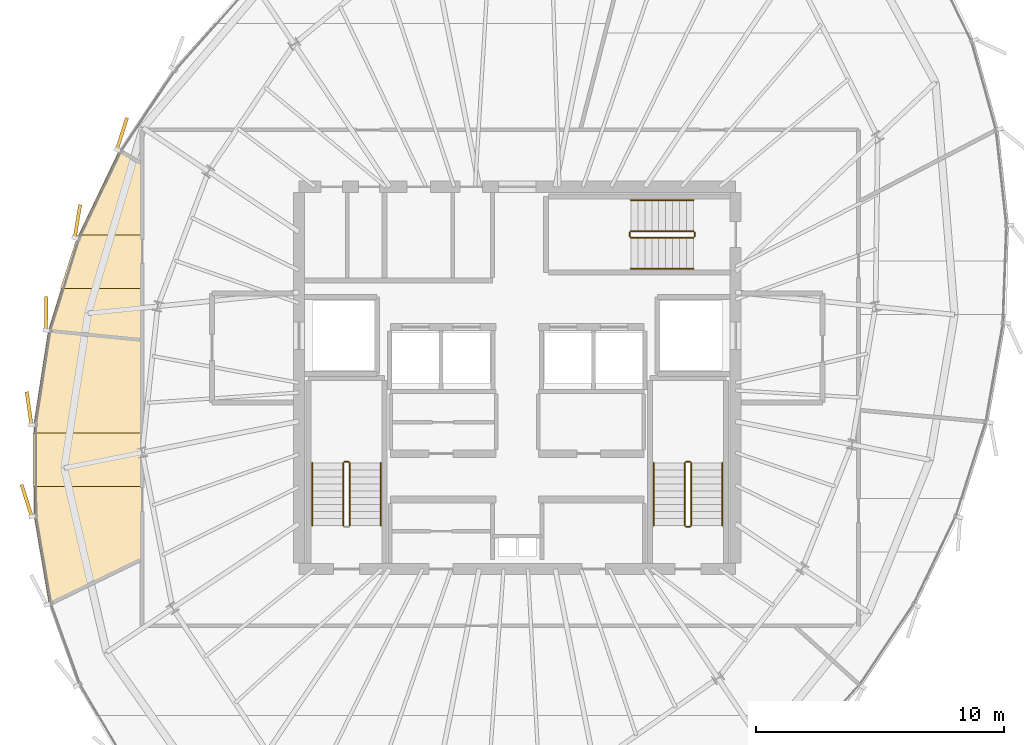
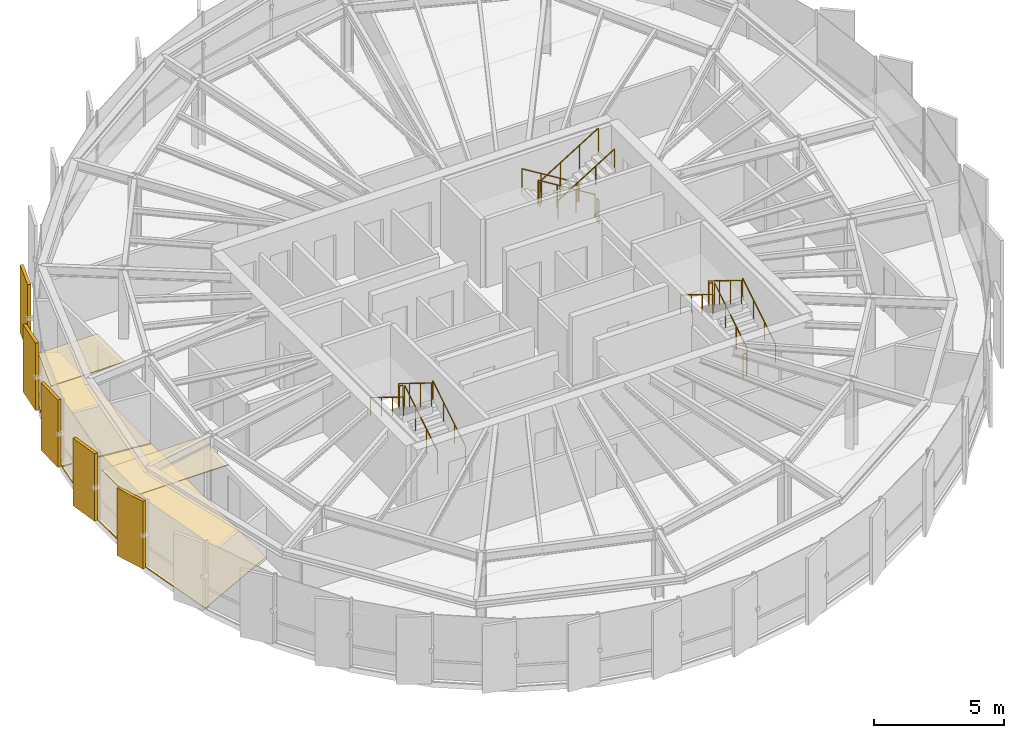
# One storey, part 30 of 31: 17 railings, 9 coverings.
"""IFC4 building model written with IfcOpenShell, lengths in metres."""

from ifc_helpers import new_model, si_unit, direction, frame, origin, origin_2d, place, context, subcontext, project, spatial, polyline, rectangle, circle, outline, extrude, source, transform, mapped, material, layer, layer_set, type_object, element, save


model = new_model("IFC4")

# Units and contexts
model_context = context("Model", 3, precision=1e-05, world=origin(), true_north=direction((0.0, 1.0)))
body_context = subcontext(model_context, "Body", "Model", "MODEL_VIEW")
ifc_project = project(units=[si_unit("LENGTHUNIT", "METRE"), si_unit("AREAUNIT", "SQUARE_METRE"), si_unit("VOLUMEUNIT", "CUBIC_METRE"), si_unit("PLANEANGLEUNIT", "RADIAN"), si_unit("MASSUNIT", "GRAM", prefix="KILO"), si_unit("THERMODYNAMICTEMPERATUREUNIT", "KELVIN")], contexts=[model_context])

# Site, building, storey
site_placement = place(None, origin())
site = spatial("IfcSite", under=ifc_project, at=site_placement, CompositionType="ELEMENT")
building_placement = place(site_placement, origin())
building = spatial("IfcBuilding", under=site, at=building_placement, Name="Kethvar Cultural Tower", CompositionType="ELEMENT")
storey_placement = place(building_placement, frame((0.0, 0.0, 276.699951171875)))
storey = spatial("IfcBuildingStorey", under=building, at=storey_placement, Name="L73", CompositionType="ELEMENT", Elevation=276.699951171875)

# Coverings
ifc_material_1 = material(Name="Acoustic Mineral Fibre Ceiling")
ifc_layer_1 = layer(ifc_material_1, 0.0400390625, Name="Acoustic Mineral Fibre Ceiling")
ifc_layer_set_1 = layer_set([ifc_layer_1], Name="Acoustic Mineral Fibre Ceiling (40 mm)")
covering_type_1 = type_object("IfcCoveringType", Name="CV-ACOUSTIC-CEIL", PredefinedType="CEILING", material=ifc_layer_set_1)
covering_1_placement = place(storey_placement, frame((0.0, 0.0, 2.56005859375)))
element("IfcCovering", 1, at=covering_1_placement, inside=storey, type_object=covering_type_1, Name="L73 Room 06 Acoustic Ceiling Panel", PredefinedType="CEILING", context=body_context, shape_type="SweptSolid", body=[
    extrude(outline(polyline([(28.394287109375, 31.405029296875), (29.085693359375, 33.554931640625), (31.699951171875, 33.554931640625), (31.699951171875, 31.405029296875), (28.394287109375, 31.405029296875)])), origin(), (0.0, 0.0, 1.0), 0.0400390625),
])
covering_2_placement = place(storey_placement, frame((0.0, 0.0, 2.56005859375)))
element("IfcCovering", 2, at=covering_2_placement, inside=storey, type_object=covering_type_1, Name="L73 Room 07 Acoustic Ceiling Panel", PredefinedType="CEILING", context=body_context, shape_type="SweptSolid", body=[
    extrude(outline(polyline([(27.284912109375, 25.578369140625), (31.699951171875, 25.578369140625), (31.699951171875, 23.42822265625), (27.290771484375, 23.42822265625), (27.284912109375, 25.578369140625)])), origin(), (0.0, 0.0, 1.0), 0.0400390625),
])
ifc_material_2 = material(Name="Honed Warm Limestone", Category="masonry")
ifc_layer_2 = layer(ifc_material_2, 0.030029296875, Name="Honed Warm Limestone", Category="masonry")
ifc_layer_set_2 = layer_set([ifc_layer_2], Name="Honed Warm Limestone (30 mm)")
covering_type_2 = type_object("IfcCoveringType", Name="CV-STONE-FLOOR", PredefinedType="FLOORING", material=ifc_layer_set_2)
covering_3_placement = place(storey_placement, origin())
element("IfcCovering", 3, at=covering_3_placement, inside=storey, type_object=covering_type_2, Name="L73 Room 06 Floor Finish", PredefinedType="FLOORING", context=body_context, shape_type="SweptSolid", body=[
    extrude(outline(polyline([(29.061767578125, 33.412353515625), (30.748291015625, 36.9326171875), (31.659912109375, 36.41259765625), (31.659912109375, 29.34716796875), (27.91259765625, 29.72509765625), (29.061767578125, 33.412353515625)])), origin(), (0.0, 0.0, 1.0), 0.030029296875),
])
covering_4_placement = place(storey_placement, origin())
element("IfcCovering", 4, at=covering_4_placement, inside=storey, type_object=covering_type_2, Name="L73 Room 07 Floor Finish", PredefinedType="FLOORING", context=body_context, shape_type="SweptSolid", body=[
    extrude(outline(polyline([(27.333984375, 22.226318359375), (27.323974609375, 25.936279296875), (27.903076171875, 29.685791015625), (31.659912109375, 29.306884765625), (31.659912109375, 20.5107421875), (27.931396484375, 18.710205078125), (27.333984375, 22.226318359375)])), origin(), (0.0, 0.0, 1.0), 0.030029296875),
])

# Railings
ifc_material_3 = material(Name="Steel S355J2", Category="steel")
railing_type_1 = type_object("IfcRailingType", Name="RL-STAIR-GUARD", PredefinedType="BALUSTRADE", material=ifc_material_3)
railing_1_placement = place(storey_placement, frame((40.050048828125, 21.85009765625, 0.172607421875)))
element("IfcRailing", 5, at=railing_1_placement, inside=storey, type_object=railing_type_1, Name="L73 ST-01 stair guard 1", PredefinedType="BALUSTRADE", context=body_context, shape_type="SweptSolid", body=[
    extrude(circle(Radius=0.02392578125, at=origin_2d()), frame((0.0, 0.0, 1.09619140625), z_axis=(0.0, 0.851400495292, 0.524516154772), x_axis=(-1.0, 0.0, 0.0)), (0.0, 0.0, 1.0), 2.9599609375),
    extrude(circle(Radius=0.02099609375, at=origin_2d()), origin(), (0.0, 0.0, 1.0), 1.072021484375),
    extrude(circle(Radius=0.02099609375, at=origin_2d()), frame((0.0, 0.840087890625, 0.517578125)), (0.0, 0.0, 1.0), 1.072021484375),
    extrude(circle(Radius=0.02099609375, at=origin_2d()), frame((0.0, 1.679931640625, 1.034912109375)), (0.0, 0.0, 1.0), 1.072021484375),
    extrude(circle(Radius=0.02099609375, at=origin_2d()), frame((0.0, 2.52001953125, 1.552490234375)), (0.0, 0.0, 1.0), 1.072021484375),
])
railing_2_placement = place(storey_placement, frame((40.0, 24.419921875, 1.72509765625)))
element("IfcRailing", 6, at=railing_2_placement, inside=storey, type_object=railing_type_1, Name="L73 ST-01 stair guard 2", PredefinedType="BALUSTRADE", context=body_context, shape_type="SweptSolid", body=[
    extrude(circle(Radius=0.02392578125, at=origin_2d()), frame((0.0, 0.0, 1.09619140625), z_axis=(-1.0, 0.0, 0.0), x_axis=(0.0, -1.0, 0.0)), (0.0, 0.0, 1.0), 0.159912109375),
    extrude(circle(Radius=0.02099609375, at=origin_2d()), origin(), (0.0, 0.0, 1.0), 1.072021484375),
    extrude(circle(Radius=0.02099609375, at=origin_2d()), frame((-0.159912109375, 0.0, 0.0)), (0.0, 0.0, 1.0), 1.072021484375),
])
railing_3_placement = place(storey_placement, frame((39.7900390625, 24.3701171875, 1.8974609375)))
element("IfcRailing", 7, at=railing_3_placement, inside=storey, type_object=railing_type_1, Name="L73 ST-01 stair guard 3", PredefinedType="BALUSTRADE", context=body_context, shape_type="SweptSolid", body=[
    extrude(circle(Radius=0.02392578125, at=origin_2d()), frame((0.0, 0.0, 1.09619140625), z_axis=(0.0, -0.851400495292, 0.524516154772), x_axis=(1.0, 0.0, 0.0)), (0.0, 0.0, 1.0), 2.9599609375),
    extrude(circle(Radius=0.02099609375, at=origin_2d()), origin(), (0.0, 0.0, 1.0), 1.072021484375),
    extrude(circle(Radius=0.02099609375, at=origin_2d()), frame((0.0, -0.840087890625, 0.517578125)), (0.0, 0.0, 1.0), 1.072021484375),
    extrude(circle(Radius=0.02099609375, at=origin_2d()), frame((0.0, -1.679931640625, 1.034912109375)), (0.0, 0.0, 1.0), 1.072021484375),
    extrude(circle(Radius=0.02099609375, at=origin_2d()), frame((0.0, -2.52001953125, 1.552490234375)), (0.0, 0.0, 1.0), 1.072021484375),
])
railing_4_placement = place(storey_placement, frame((53.81005859375, 21.85009765625, 0.172607421875)))
element("IfcRailing", 8, at=railing_4_placement, inside=storey, type_object=railing_type_1, Name="L73 ST-02 stair guard 1", PredefinedType="BALUSTRADE", context=body_context, shape_type="SweptSolid", body=[
    extrude(circle(Radius=0.02392578125, at=origin_2d()), frame((0.0, 0.0, 1.09619140625), z_axis=(0.0, 0.851400495292, 0.524516154772), x_axis=(-1.0, 0.0, 0.0)), (0.0, 0.0, 1.0), 2.9599609375),
    extrude(circle(Radius=0.02099609375, at=origin_2d()), origin(), (0.0, 0.0, 1.0), 1.072021484375),
    extrude(circle(Radius=0.02099609375, at=origin_2d()), frame((0.0, 0.840087890625, 0.517578125)), (0.0, 0.0, 1.0), 1.072021484375),
    extrude(circle(Radius=0.02099609375, at=origin_2d()), frame((0.0, 1.679931640625, 1.034912109375)), (0.0, 0.0, 1.0), 1.072021484375),
    extrude(circle(Radius=0.02099609375, at=origin_2d()), frame((0.0, 2.52001953125, 1.552490234375)), (0.0, 0.0, 1.0), 1.072021484375),
])
railing_5_placement = place(storey_placement, frame((53.760009765625, 24.419921875, 1.72509765625)))
element("IfcRailing", 9, at=railing_5_placement, inside=storey, type_object=railing_type_1, Name="L73 ST-02 stair guard 2", PredefinedType="BALUSTRADE", context=body_context, shape_type="SweptSolid", body=[
    extrude(circle(Radius=0.02392578125, at=origin_2d()), frame((0.0, 0.0, 1.09619140625), z_axis=(-1.0, 0.0, 0.0), x_axis=(0.0, -1.0, 0.0)), (0.0, 0.0, 1.0), 0.159912109375),
    extrude(circle(Radius=0.02099609375, at=origin_2d()), origin(), (0.0, 0.0, 1.0), 1.072021484375),
    extrude(circle(Radius=0.02099609375, at=origin_2d()), frame((-0.159912109375, 0.0, 0.0)), (0.0, 0.0, 1.0), 1.072021484375),
])
railing_6_placement = place(storey_placement, frame((53.550048828125, 24.3701171875, 1.8974609375)))
element("IfcRailing", 10, at=railing_6_placement, inside=storey, type_object=railing_type_1, Name="L73 ST-02 stair guard 3", PredefinedType="BALUSTRADE", context=body_context, shape_type="SweptSolid", body=[
    extrude(circle(Radius=0.02392578125, at=origin_2d()), frame((0.0, 0.0, 1.09619140625), z_axis=(0.0, -0.851400495292, 0.524516154772), x_axis=(1.0, 0.0, 0.0)), (0.0, 0.0, 1.0), 2.9599609375),
    extrude(circle(Radius=0.02099609375, at=origin_2d()), origin(), (0.0, 0.0, 1.0), 1.072021484375),
    extrude(circle(Radius=0.02099609375, at=origin_2d()), frame((0.0, -0.840087890625, 0.517578125)), (0.0, 0.0, 1.0), 1.072021484375),
    extrude(circle(Radius=0.02099609375, at=origin_2d()), frame((0.0, -1.679931640625, 1.034912109375)), (0.0, 0.0, 1.0), 1.072021484375),
    extrude(circle(Radius=0.02099609375, at=origin_2d()), frame((0.0, -2.52001953125, 1.552490234375)), (0.0, 0.0, 1.0), 1.072021484375),
])
railing_7_placement = place(storey_placement, frame((53.760009765625, 21.800048828125, 0.0)))
element("IfcRailing", 11, at=railing_7_placement, inside=storey, type_object=railing_type_1, Name="L73 ST-02 stair guard 4", PredefinedType="BALUSTRADE", context=body_context, shape_type="SweptSolid", body=[
    extrude(circle(Radius=0.02392578125, at=origin_2d()), frame((0.0, 0.0, 1.09619140625), z_axis=(-1.0, 0.0, 0.0), x_axis=(0.0, -1.0, 0.0)), (0.0, 0.0, 1.0), 0.159912109375),
    extrude(circle(Radius=0.02099609375, at=origin_2d()), origin(), (0.0, 0.0, 1.0), 1.072021484375),
    extrude(circle(Radius=0.02099609375, at=origin_2d()), frame((-0.159912109375, 0.0, 0.0)), (0.0, 0.0, 1.0), 1.072021484375),
])
railing_8_placement = place(storey_placement, frame((53.89990234375, 33.7099609375, 0.172607421875)))
element("IfcRailing", 12, at=railing_8_placement, inside=storey, type_object=railing_type_1, Name="L73 ST-03 stair guard 1", PredefinedType="BALUSTRADE", context=body_context, shape_type="SweptSolid", body=[
    extrude(circle(Radius=0.02392578125, at=origin_2d()), frame((0.0, 0.0, 1.09619140625), z_axis=(-0.851400495292, 0.0, 0.524516154772), x_axis=(0.0, -1.0, 0.0)), (0.0, 0.0, 1.0), 2.9599609375),
    extrude(circle(Radius=0.02099609375, at=origin_2d()), origin(), (0.0, 0.0, 1.0), 1.072021484375),
    extrude(circle(Radius=0.02099609375, at=origin_2d()), frame((-0.840087890625, 0.0, 0.517578125)), (0.0, 0.0, 1.0), 1.072021484375),
    extrude(circle(Radius=0.02099609375, at=origin_2d()), frame((-1.679931640625, 0.0, 1.034912109375)), (0.0, 0.0, 1.0), 1.072021484375),
    extrude(circle(Radius=0.02099609375, at=origin_2d()), frame((-2.52001953125, 0.0, 1.552490234375)), (0.0, 0.0, 1.0), 1.072021484375),
])
railing_9_placement = place(storey_placement, frame((51.330078125, 33.659912109375, 1.72509765625)))
element("IfcRailing", 13, at=railing_9_placement, inside=storey, type_object=railing_type_1, Name="L73 ST-03 stair guard 2", PredefinedType="BALUSTRADE", context=body_context, shape_type="SweptSolid", body=[
    extrude(circle(Radius=0.02392578125, at=origin_2d()), frame((0.0, 0.0, 1.09619140625), z_axis=(0.0, -1.0, 0.0), x_axis=(1.0, 0.0, 0.0)), (0.0, 0.0, 1.0), 0.159912109375),
    extrude(circle(Radius=0.02099609375, at=origin_2d()), origin(), (0.0, 0.0, 1.0), 1.072021484375),
    extrude(circle(Radius=0.02099609375, at=origin_2d()), frame((0.0, -0.159912109375, 0.0)), (0.0, 0.0, 1.0), 1.072021484375),
])
railing_10_placement = place(storey_placement, frame((51.3798828125, 33.449951171875, 1.8974609375)))
element("IfcRailing", 14, at=railing_10_placement, inside=storey, type_object=railing_type_1, Name="L73 ST-03 stair guard 3", PredefinedType="BALUSTRADE", context=body_context, shape_type="SweptSolid", body=[
    extrude(circle(Radius=0.02392578125, at=origin_2d()), frame((0.0, 0.0, 1.09619140625), z_axis=(0.851400495292, 0.0, 0.524516154772), x_axis=(0.0, 1.0, 0.0)), (0.0, 0.0, 1.0), 2.9599609375),
    extrude(circle(Radius=0.02099609375, at=origin_2d()), origin(), (0.0, 0.0, 1.0), 1.072021484375),
    extrude(circle(Radius=0.02099609375, at=origin_2d()), frame((0.840087890625, 0.0, 0.517578125)), (0.0, 0.0, 1.0), 1.072021484375),
    extrude(circle(Radius=0.02099609375, at=origin_2d()), frame((1.679931640625, 0.0, 1.034912109375)), (0.0, 0.0, 1.0), 1.072021484375),
    extrude(circle(Radius=0.02099609375, at=origin_2d()), frame((2.52001953125, 0.0, 1.552490234375)), (0.0, 0.0, 1.0), 1.072021484375),
])
railing_11_placement = place(storey_placement, frame((53.949951171875, 33.659912109375, 0.0)))
element("IfcRailing", 15, at=railing_11_placement, inside=storey, type_object=railing_type_1, Name="L73 ST-03 stair guard 4", PredefinedType="BALUSTRADE", context=body_context, shape_type="SweptSolid", body=[
    extrude(circle(Radius=0.02392578125, at=origin_2d()), frame((0.0, 0.0, 1.09619140625), z_axis=(0.0, -1.0, 0.0), x_axis=(1.0, 0.0, 0.0)), (0.0, 0.0, 1.0), 0.159912109375),
    extrude(circle(Radius=0.02099609375, at=origin_2d()), origin(), (0.0, 0.0, 1.0), 1.072021484375),
    extrude(circle(Radius=0.02099609375, at=origin_2d()), frame((0.0, -0.159912109375, 0.0)), (0.0, 0.0, 1.0), 1.072021484375),
])
railing_type_2 = type_object("IfcRailingType", Name="RL-STAIR-HANDRAIL", PredefinedType="HANDRAIL", material=ifc_material_3)
railing_12_placement = place(storey_placement, frame((41.300048828125, 21.85009765625, 0.172607421875)))
element("IfcRailing", 16, at=railing_12_placement, inside=storey, type_object=railing_type_2, Name="L73 ST-01 stair handrail 1", PredefinedType="HANDRAIL", context=body_context, shape_type="SweptSolid", body=[
    extrude(circle(Radius=0.02392578125, at=origin_2d()), frame((0.0, 0.0, 0.8759765625), z_axis=(0.0, 0.851400495292, 0.524516154772), x_axis=(-1.0, 0.0, 0.0)), (0.0, 0.0, 1.0), 2.9599609375),
    extrude(circle(Radius=0.02099609375, at=origin_2d()), origin(), (0.0, 0.0, 1.0), 0.851806640625),
    extrude(circle(Radius=0.02099609375, at=origin_2d()), frame((0.0, 0.840087890625, 0.517578125)), (0.0, 0.0, 1.0), 0.851806640625),
    extrude(circle(Radius=0.02099609375, at=origin_2d()), frame((0.0, 1.679931640625, 1.034912109375)), (0.0, 0.0, 1.0), 0.851806640625),
    extrude(circle(Radius=0.02099609375, at=origin_2d()), frame((0.0, 2.52001953125, 1.552490234375)), (0.0, 0.0, 1.0), 0.851806640625),
])
railing_13_placement = place(storey_placement, frame((38.5400390625, 24.3701171875, 1.8974609375)))
element("IfcRailing", 17, at=railing_13_placement, inside=storey, type_object=railing_type_2, Name="L73 ST-01 stair handrail 2", PredefinedType="HANDRAIL", context=body_context, shape_type="SweptSolid", body=[
    extrude(circle(Radius=0.02392578125, at=origin_2d()), frame((0.0, 0.0, 0.8759765625), z_axis=(0.0, -0.851400495292, 0.524516154772), x_axis=(1.0, 0.0, 0.0)), (0.0, 0.0, 1.0), 2.9599609375),
    extrude(circle(Radius=0.02099609375, at=origin_2d()), origin(), (0.0, 0.0, 1.0), 0.851806640625),
    extrude(circle(Radius=0.02099609375, at=origin_2d()), frame((0.0, -0.840087890625, 0.517578125)), (0.0, 0.0, 1.0), 0.851806640625),
    extrude(circle(Radius=0.02099609375, at=origin_2d()), frame((0.0, -1.679931640625, 1.034912109375)), (0.0, 0.0, 1.0), 0.851806640625),
    extrude(circle(Radius=0.02099609375, at=origin_2d()), frame((0.0, -2.52001953125, 1.552490234375)), (0.0, 0.0, 1.0), 0.851806640625),
])
railing_14_placement = place(storey_placement, frame((55.06005859375, 21.85009765625, 0.172607421875)))
element("IfcRailing", 18, at=railing_14_placement, inside=storey, type_object=railing_type_2, Name="L73 ST-02 stair handrail 1", PredefinedType="HANDRAIL", context=body_context, shape_type="SweptSolid", body=[
    extrude(circle(Radius=0.02392578125, at=origin_2d()), frame((0.0, 0.0, 0.8759765625), z_axis=(0.0, 0.851400495292, 0.524516154772), x_axis=(-1.0, 0.0, 0.0)), (0.0, 0.0, 1.0), 2.9599609375),
    extrude(circle(Radius=0.02099609375, at=origin_2d()), origin(), (0.0, 0.0, 1.0), 0.851806640625),
    extrude(circle(Radius=0.02099609375, at=origin_2d()), frame((0.0, 0.840087890625, 0.517578125)), (0.0, 0.0, 1.0), 0.851806640625),
    extrude(circle(Radius=0.02099609375, at=origin_2d()), frame((0.0, 1.679931640625, 1.034912109375)), (0.0, 0.0, 1.0), 0.851806640625),
    extrude(circle(Radius=0.02099609375, at=origin_2d()), frame((0.0, 2.52001953125, 1.552490234375)), (0.0, 0.0, 1.0), 0.851806640625),
])
railing_15_placement = place(storey_placement, frame((52.300048828125, 24.3701171875, 1.8974609375)))
element("IfcRailing", 19, at=railing_15_placement, inside=storey, type_object=railing_type_2, Name="L73 ST-02 stair handrail 2", PredefinedType="HANDRAIL", context=body_context, shape_type="SweptSolid", body=[
    extrude(circle(Radius=0.02392578125, at=origin_2d()), frame((0.0, 0.0, 0.8759765625), z_axis=(0.0, -0.851400495292, 0.524516154772), x_axis=(1.0, 0.0, 0.0)), (0.0, 0.0, 1.0), 2.9599609375),
    extrude(circle(Radius=0.02099609375, at=origin_2d()), origin(), (0.0, 0.0, 1.0), 0.851806640625),
    extrude(circle(Radius=0.02099609375, at=origin_2d()), frame((0.0, -0.840087890625, 0.517578125)), (0.0, 0.0, 1.0), 0.851806640625),
    extrude(circle(Radius=0.02099609375, at=origin_2d()), frame((0.0, -1.679931640625, 1.034912109375)), (0.0, 0.0, 1.0), 0.851806640625),
    extrude(circle(Radius=0.02099609375, at=origin_2d()), frame((0.0, -2.52001953125, 1.552490234375)), (0.0, 0.0, 1.0), 0.851806640625),
])
railing_16_placement = place(storey_placement, frame((53.89990234375, 34.9599609375, 0.172607421875)))
element("IfcRailing", 20, at=railing_16_placement, inside=storey, type_object=railing_type_2, Name="L73 ST-03 stair handrail 1", PredefinedType="HANDRAIL", context=body_context, shape_type="SweptSolid", body=[
    extrude(circle(Radius=0.02392578125, at=origin_2d()), frame((0.0, 0.0, 0.8759765625), z_axis=(-0.851400495292, 0.0, 0.524516154772), x_axis=(0.0, -1.0, 0.0)), (0.0, 0.0, 1.0), 2.9599609375),
    extrude(circle(Radius=0.02099609375, at=origin_2d()), origin(), (0.0, 0.0, 1.0), 0.851806640625),
    extrude(circle(Radius=0.02099609375, at=origin_2d()), frame((-0.840087890625, 0.0, 0.517578125)), (0.0, 0.0, 1.0), 0.851806640625),
    extrude(circle(Radius=0.02099609375, at=origin_2d()), frame((-1.679931640625, 0.0, 1.034912109375)), (0.0, 0.0, 1.0), 0.851806640625),
    extrude(circle(Radius=0.02099609375, at=origin_2d()), frame((-2.52001953125, 0.0, 1.552490234375)), (0.0, 0.0, 1.0), 0.851806640625),
])
railing_17_placement = place(storey_placement, frame((51.3798828125, 32.199951171875, 1.8974609375)))
element("IfcRailing", 21, at=railing_17_placement, inside=storey, type_object=railing_type_2, Name="L73 ST-03 stair handrail 2", PredefinedType="HANDRAIL", context=body_context, shape_type="SweptSolid", body=[
    extrude(circle(Radius=0.02392578125, at=origin_2d()), frame((0.0, 0.0, 0.8759765625), z_axis=(0.851400495292, 0.0, 0.524516154772), x_axis=(0.0, 1.0, 0.0)), (0.0, 0.0, 1.0), 2.9599609375),
    extrude(circle(Radius=0.02099609375, at=origin_2d()), origin(), (0.0, 0.0, 1.0), 0.851806640625),
    extrude(circle(Radius=0.02099609375, at=origin_2d()), frame((0.840087890625, 0.0, 0.517578125)), (0.0, 0.0, 1.0), 0.851806640625),
    extrude(circle(Radius=0.02099609375, at=origin_2d()), frame((1.679931640625, 0.0, 1.034912109375)), (0.0, 0.0, 1.0), 0.851806640625),
    extrude(circle(Radius=0.02099609375, at=origin_2d()), frame((2.52001953125, 0.0, 1.552490234375)), (0.0, 0.0, 1.0), 0.851806640625),
])

# Coverings
ifc_material_4 = material(Name="Extruded Architectural Terracotta", Category="masonry")
ifc_layer_3 = layer(ifc_material_4, 0.135009765625, Name="Extruded Architectural Terracotta", Category="masonry")
ifc_layer_set_3 = layer_set([ifc_layer_3], Name="Extruded Architectural Terracotta (135 mm)")
covering_type_3 = type_object("IfcCoveringType", Name="Terracotta Facade Fin FIN-03", PredefinedType="CLADDING", material=ifc_layer_set_3)
shared_shape = source(origin(), body_context, "Body", "SweptSolid", [
    extrude(rectangle(XDim=1.35009765625, YDim=0.135009765625, at=origin_2d()), origin(), (0.0, 0.0, 1.0), 3.169921875),
])
for number, where, z_axis, x_axis, name in (
    (22, (30.871337890625, 37.638671875, 0.02001953125), (0.0, 0.0, 1.0), (0.30220352299, 0.953243426776, 0.0), "L73 Vertical Terracotta Fin 2.4"),
    (23, (29.075927734375, 34.109619140625, 0.02001953125), (0.0, 0.0, 1.0), (0.161776057456, 0.986827496189, 0.0), "L73 Vertical Terracotta Fin 2.5"),
    (24, (27.816162109375, 30.394775390625, 0.02001953125), (0.0, 0.0, 1.0), (0.013613147671, 0.999907336812, 0.0), "L73 Vertical Terracotta Fin 2.6"),
    (25, (27.128173828125, 26.570068359375, 0.02001953125), (0.0, 0.0, 1.0), (-0.14193790484, 0.989875563477, 0.0), "L73 Vertical Terracotta Fin 3.1"),
    (26, (27.030517578125, 22.8544921875, 0.02001953125), (0.0, 0.0, 1.0), (-0.303035269633, 0.952979341517, 0.0), "L73 Vertical Terracotta Fin 3.2"),
):
    element("IfcCovering", number, at=place(storey_placement, frame(where, z_axis=z_axis, x_axis=x_axis)), inside=storey, type_object=covering_type_3, Name=name, PredefinedType="CLADDING", context=body_context, shape_type="MappedRepresentation", body=[
        mapped(shared_shape, transform((0.0, 0.0, 0.0), scale=1.0)),
    ])

save(model, "model.ifc")
